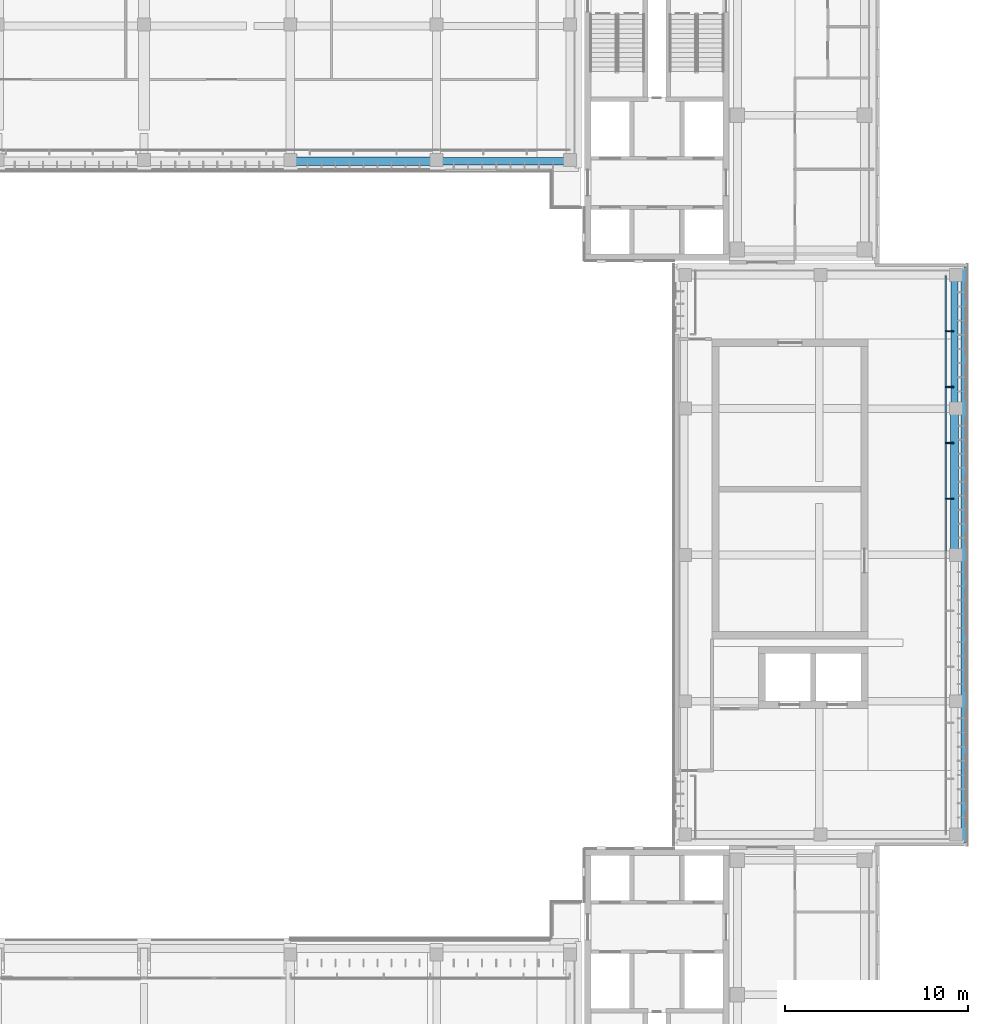
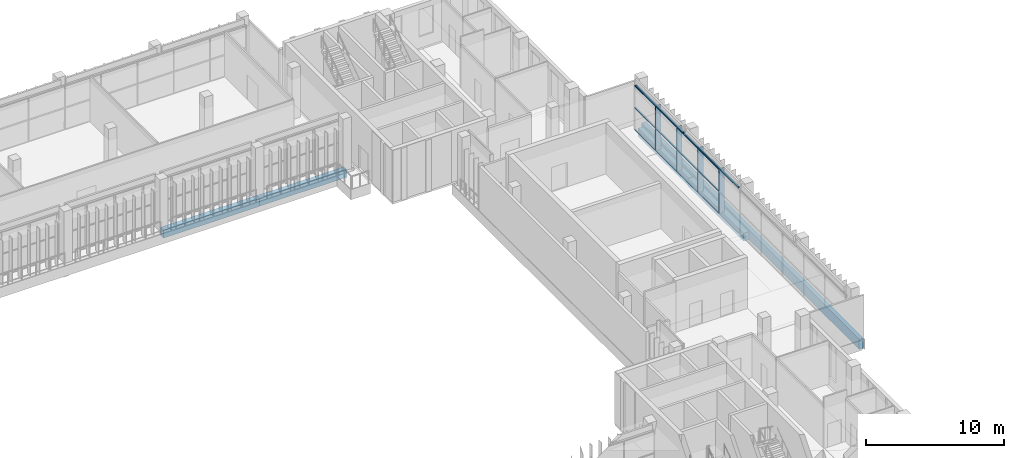
# One storey, part 30 of 73: 16 members, 7 beams, 1 element without a shape of its own.
"""IFC4 building model written with IfcOpenShell, lengths in metres."""

from ifc_helpers import new_model, si_unit, direction, frame, origin, origin_2d, place, context, subcontext, project, spatial, rectangle, hollow_rectangle, extrude, material, material_profile, profile_set, type_object, element, aggregate, save


model = new_model("IFC4")

# Units and contexts
model_context = context("Model", 3, precision=1e-05, world=origin(), true_north=direction((0.0, 1.0)))
body_context = subcontext(model_context, "Body", "Model", "MODEL_VIEW")
ifc_project = project(units=[si_unit("LENGTHUNIT", "METRE"), si_unit("AREAUNIT", "SQUARE_METRE"), si_unit("VOLUMEUNIT", "CUBIC_METRE"), si_unit("PLANEANGLEUNIT", "RADIAN"), si_unit("MASSUNIT", "GRAM", prefix="KILO")], contexts=[model_context])

# Site, building, storey
site_placement = place(None, origin())
site = spatial("IfcSite", under=ifc_project, at=site_placement, CompositionType="ELEMENT")
building_placement = place(site_placement, origin())
building = spatial("IfcBuilding", under=site, at=building_placement, Name="Lantern Court Media Centre", CompositionType="ELEMENT")
storey_placement = place(building_placement, frame((0.0, 0.0, 24.0)))
storey = spatial("IfcBuildingStorey", under=building, at=storey_placement, Name="L05", CompositionType="ELEMENT", Elevation=24.0)

# Curtain wall, members
ifc_material_1 = material(Name="Curtain wall bay 3000")
curtain_wall_type = type_object("IfcCurtainWallType", Name="Curtain wall bay 3000", PredefinedType="NOTDEFINED", material=ifc_material_1)
curtain_wall_placement = place(storey_placement, origin())
curtain_wall = element("IfcCurtainWall", 1, at=curtain_wall_placement, inside=storey, type_object=curtain_wall_type, Name="Curtain wall E outer L05", PredefinedType="NOTDEFINED")
ifc_material_2 = material(Name="Anodised aluminium", Category="aluminium")
ifc_material_profile_1 = material_profile(ifc_material_2, rectangle(XDim=0.449951171875, YDim=0.06005859375, at=origin_2d()), Name="AL 60x450")
ifc_profile_set_1 = profile_set([ifc_material_profile_1], Name="Anodised aluminium")
member_type_1 = type_object("IfcMemberType", Name="Curtain wall mullion 60x450", PredefinedType="MULLION", material=ifc_profile_set_1)
member_1_placement = place(storey_placement, frame((100.044921875, 83.06005859375, 0.0), z_axis=(0.0, 0.0, 1.0), x_axis=(-1.0, 0.0, 0.0)))
member_1 = element("IfcMember", 2, at=member_1_placement, type_object=member_type_1, Name="CW1 mullion 7", PredefinedType="MULLION", context=body_context, shape_type="SweptSolid", body=[
    extrude(rectangle(XDim=0.449951171875, YDim=0.06005859375, at=origin_2d()), origin(), (0.0, 0.0, 1.0), 3.949951171875),
])
member_2_placement = place(storey_placement, frame((100.044921875, 86.1201171875, 0.0), z_axis=(0.0, 0.0, 1.0), x_axis=(-1.0, 0.0, 0.0)))
member_2 = element("IfcMember", 3, at=member_2_placement, type_object=member_type_1, Name="CW1 mullion 8", PredefinedType="MULLION", context=body_context, shape_type="SweptSolid", body=[
    extrude(rectangle(XDim=0.449951171875, YDim=0.06005859375, at=origin_2d()), origin(), (0.0, 0.0, 1.0), 3.949951171875),
])
member_3_placement = place(storey_placement, frame((100.044921875, 89.179931640625, 0.0), z_axis=(0.0, 0.0, 1.0), x_axis=(-1.0, 0.0, 0.0)))
member_3 = element("IfcMember", 4, at=member_3_placement, type_object=member_type_1, Name="CW1 mullion 9", PredefinedType="MULLION", context=body_context, shape_type="SweptSolid", body=[
    extrude(rectangle(XDim=0.449951171875, YDim=0.06005859375, at=origin_2d()), origin(), (0.0, 0.0, 1.0), 3.949951171875),
])
member_4_placement = place(storey_placement, frame((100.044921875, 92.239990234375, 0.0), z_axis=(0.0, 0.0, 1.0), x_axis=(-1.0, 0.0, 0.0)))
member_4 = element("IfcMember", 5, at=member_4_placement, type_object=member_type_1, Name="CW1 mullion 10", PredefinedType="MULLION", context=body_context, shape_type="SweptSolid", body=[
    extrude(rectangle(XDim=0.449951171875, YDim=0.06005859375, at=origin_2d()), origin(), (0.0, 0.0, 1.0), 3.949951171875),
])
ifc_material_profile_2 = material_profile(ifc_material_2, rectangle(XDim=0.1201171875, YDim=0.06005859375, at=origin_2d()), Name="AL 60x120")
ifc_profile_set_2 = profile_set([ifc_material_profile_2], Name="Anodised aluminium")
member_type_2 = type_object("IfcMemberType", Name="Curtain wall transom 60x120", PredefinedType="USERDEFINED", material=ifc_profile_set_2)
member_5_placement = place(storey_placement, frame((99.85009765625, 83.090087890625, 0.030029296875), z_axis=(0.0, 1.0, 0.0), x_axis=(-1.0, 0.0, 0.0)))
member_5 = element("IfcMember", 6, at=member_5_placement, type_object=member_type_2, Name="CW1 transom 7.1", ObjectType="TRANSOM", PredefinedType="USERDEFINED", context=body_context, shape_type="SweptSolid", body=[
    extrude(rectangle(XDim=0.1201171875, YDim=0.06005859375, at=origin_2d()), origin(), (0.0, 0.0, 1.0), 3.0),
])
member_6_placement = place(storey_placement, frame((99.85009765625, 83.090087890625, 1.97509765625), z_axis=(0.0, 1.0, 0.0), x_axis=(-1.0, 0.0, 0.0)))
member_6 = element("IfcMember", 7, at=member_6_placement, type_object=member_type_2, Name="CW1 transom 7.2", ObjectType="TRANSOM", PredefinedType="USERDEFINED", context=body_context, shape_type="SweptSolid", body=[
    extrude(rectangle(XDim=0.1201171875, YDim=0.06005859375, at=origin_2d()), origin(), (0.0, 0.0, 1.0), 3.0),
])
member_7_placement = place(storey_placement, frame((99.85009765625, 83.090087890625, 3.919921875), z_axis=(0.0, 1.0, 0.0), x_axis=(-1.0, 0.0, 0.0)))
member_7 = element("IfcMember", 8, at=member_7_placement, type_object=member_type_2, Name="CW1 transom 7.3", ObjectType="TRANSOM", PredefinedType="USERDEFINED", context=body_context, shape_type="SweptSolid", body=[
    extrude(rectangle(XDim=0.1201171875, YDim=0.06005859375, at=origin_2d()), origin(), (0.0, 0.0, 1.0), 3.0),
])
member_8_placement = place(storey_placement, frame((99.85009765625, 86.14990234375, 0.030029296875), z_axis=(0.0, 1.0, 0.0), x_axis=(-1.0, 0.0, 0.0)))
member_8 = element("IfcMember", 9, at=member_8_placement, type_object=member_type_2, Name="CW1 transom 8.1", ObjectType="TRANSOM", PredefinedType="USERDEFINED", context=body_context, shape_type="SweptSolid", body=[
    extrude(rectangle(XDim=0.1201171875, YDim=0.06005859375, at=origin_2d()), origin(), (0.0, 0.0, 1.0), 3.0),
])
member_9_placement = place(storey_placement, frame((99.85009765625, 86.14990234375, 1.97509765625), z_axis=(0.0, 1.0, 0.0), x_axis=(-1.0, 0.0, 0.0)))
member_9 = element("IfcMember", 10, at=member_9_placement, type_object=member_type_2, Name="CW1 transom 8.2", ObjectType="TRANSOM", PredefinedType="USERDEFINED", context=body_context, shape_type="SweptSolid", body=[
    extrude(rectangle(XDim=0.1201171875, YDim=0.06005859375, at=origin_2d()), origin(), (0.0, 0.0, 1.0), 3.0),
])
member_10_placement = place(storey_placement, frame((99.85009765625, 86.14990234375, 3.919921875), z_axis=(0.0, 1.0, 0.0), x_axis=(-1.0, 0.0, 0.0)))
member_10 = element("IfcMember", 11, at=member_10_placement, type_object=member_type_2, Name="CW1 transom 8.3", ObjectType="TRANSOM", PredefinedType="USERDEFINED", context=body_context, shape_type="SweptSolid", body=[
    extrude(rectangle(XDim=0.1201171875, YDim=0.06005859375, at=origin_2d()), origin(), (0.0, 0.0, 1.0), 3.0),
])
member_11_placement = place(storey_placement, frame((99.85009765625, 89.2099609375, 0.030029296875), z_axis=(0.0, 1.0, 0.0), x_axis=(-1.0, 0.0, 0.0)))
member_11 = element("IfcMember", 12, at=member_11_placement, type_object=member_type_2, Name="CW1 transom 9.1", ObjectType="TRANSOM", PredefinedType="USERDEFINED", context=body_context, shape_type="SweptSolid", body=[
    extrude(rectangle(XDim=0.1201171875, YDim=0.06005859375, at=origin_2d()), origin(), (0.0, 0.0, 1.0), 3.0),
])
member_12_placement = place(storey_placement, frame((99.85009765625, 89.2099609375, 1.97509765625), z_axis=(0.0, 1.0, 0.0), x_axis=(-1.0, 0.0, 0.0)))
member_12 = element("IfcMember", 13, at=member_12_placement, type_object=member_type_2, Name="CW1 transom 9.2", ObjectType="TRANSOM", PredefinedType="USERDEFINED", context=body_context, shape_type="SweptSolid", body=[
    extrude(rectangle(XDim=0.1201171875, YDim=0.06005859375, at=origin_2d()), origin(), (0.0, 0.0, 1.0), 3.0),
])
member_13_placement = place(storey_placement, frame((99.85009765625, 89.2099609375, 3.919921875), z_axis=(0.0, 1.0, 0.0), x_axis=(-1.0, 0.0, 0.0)))
member_13 = element("IfcMember", 14, at=member_13_placement, type_object=member_type_2, Name="CW1 transom 9.3", ObjectType="TRANSOM", PredefinedType="USERDEFINED", context=body_context, shape_type="SweptSolid", body=[
    extrude(rectangle(XDim=0.1201171875, YDim=0.06005859375, at=origin_2d()), origin(), (0.0, 0.0, 1.0), 3.0),
])
member_14_placement = place(storey_placement, frame((99.85009765625, 92.27001953125, 0.030029296875), z_axis=(0.0, 1.0, 0.0), x_axis=(-1.0, 0.0, 0.0)))
member_14 = element("IfcMember", 15, at=member_14_placement, type_object=member_type_2, Name="CW1 transom 10.1", ObjectType="TRANSOM", PredefinedType="USERDEFINED", context=body_context, shape_type="SweptSolid", body=[
    extrude(rectangle(XDim=0.1201171875, YDim=0.06005859375, at=origin_2d()), origin(), (0.0, 0.0, 1.0), 2.969970703125),
])
member_15_placement = place(storey_placement, frame((99.85009765625, 92.27001953125, 1.97509765625), z_axis=(0.0, 1.0, 0.0), x_axis=(-1.0, 0.0, 0.0)))
member_15 = element("IfcMember", 16, at=member_15_placement, type_object=member_type_2, Name="CW1 transom 10.2", ObjectType="TRANSOM", PredefinedType="USERDEFINED", context=body_context, shape_type="SweptSolid", body=[
    extrude(rectangle(XDim=0.1201171875, YDim=0.06005859375, at=origin_2d()), origin(), (0.0, 0.0, 1.0), 2.969970703125),
])
member_16_placement = place(storey_placement, frame((99.85009765625, 92.27001953125, 3.919921875), z_axis=(0.0, 1.0, 0.0), x_axis=(-1.0, 0.0, 0.0)))
member_16 = element("IfcMember", 17, at=member_16_placement, type_object=member_type_2, Name="CW1 transom 10.3", ObjectType="TRANSOM", PredefinedType="USERDEFINED", context=body_context, shape_type="SweptSolid", body=[
    extrude(rectangle(XDim=0.1201171875, YDim=0.06005859375, at=origin_2d()), origin(), (0.0, 0.0, 1.0), 2.969970703125),
])
aggregate(curtain_wall, [member_1, member_2, member_3, member_4, member_5, member_6, member_7, member_8, member_9, member_10, member_11, member_12, member_13, member_14, member_15, member_16])

# Beams
ifc_material_3 = material(Name="Steel S355J2 (EN 10025-2)", Category="steel")
ifc_material_profile_3 = material_profile(ifc_material_3, hollow_rectangle(XDim=0.10009765625, YDim=0.14990234375, WallThickness=0.00634765625, InnerFilletRadius=0.00634765625, OuterFilletRadius=0.009521484375, at=origin_2d()), Name="Facade head lintel RHS 150x100x6.3")
ifc_profile_set_3 = profile_set([ifc_material_profile_3], Name="Steel S355J2 (EN 10025-2)")
beam_type_1 = type_object("IfcBeamType", Name="Facade head lintel RHS 150x100x6.3", PredefinedType="BEAM", material=ifc_profile_set_3)
beam_1_placement = place(storey_placement, frame((99.85009765625, 80.199951171875, 4.02490234375), z_axis=(0.0, 1.0, 0.0), x_axis=(-1.0, 0.0, 0.0)))
element("IfcBeam", 18, at=beam_1_placement, inside=storey, type_object=beam_type_1, Name="Facade head lintel E L05", PredefinedType="BEAM", context=body_context, shape_type="SweptSolid", body=[
    extrude(hollow_rectangle(XDim=0.10009765625, YDim=0.14990234375, WallThickness=0.00634765625, InnerFilletRadius=0.00634765625, OuterFilletRadius=0.009521484375, at=origin_2d()), origin(), (0.0, 0.0, 1.0), 7.60009765625),
])
beam_2_placement = place(storey_placement, frame((99.85009765625, 88.199951171875, 4.02490234375), z_axis=(0.0, 1.0, 0.0), x_axis=(-1.0, 0.0, 0.0)))
element("IfcBeam", 19, at=beam_2_placement, inside=storey, type_object=beam_type_1, Name="Facade head lintel E L05", PredefinedType="BEAM", context=body_context, shape_type="SweptSolid", body=[
    extrude(hollow_rectangle(XDim=0.10009765625, YDim=0.14990234375, WallThickness=0.00634765625, InnerFilletRadius=0.00634765625, OuterFilletRadius=0.009521484375, at=origin_2d()), origin(), (0.0, 0.0, 1.0), 6.900146484375),
])
ifc_material_4 = material(Name="Concrete C35", Category="concrete")
ifc_material_profile_4 = material_profile(ifc_material_4, rectangle(XDim=0.35009765625, YDim=0.89990234375, at=origin_2d()), Name="RC 350x900")
ifc_profile_set_4 = profile_set([ifc_material_profile_4], Name="Concrete C35")
beam_type_2 = type_object("IfcBeamType", Name="RC BEAM 350x900", PredefinedType="BEAM", material=ifc_profile_set_4)
beam_3_placement = place(storey_placement, frame((100.85009765625, 64.25, -0.449951171875), z_axis=(0.0, 1.0, 0.0), x_axis=(-1.0, 0.0, 0.0)))
element("IfcBeam", 20, at=beam_3_placement, inside=storey, type_object=beam_type_2, Name="EB-E-L05-B", PredefinedType="BEAM", context=body_context, shape_type="SweptSolid", body=[
    extrude(rectangle(XDim=0.35009765625, YDim=0.89990234375, at=origin_2d()), origin(), (0.0, 0.0, 1.0), 31.5),
])
ifc_material_profile_5 = material_profile(ifc_material_4, rectangle(XDim=0.39990234375, YDim=0.699951171875, at=origin_2d()), Name="RC 400x700")
ifc_profile_set_5 = profile_set([ifc_material_profile_5], Name="Concrete C35")
beam_type_3 = type_object("IfcBeamType", Name="RC BEAM 400x700", PredefinedType="BEAM", material=ifc_profile_set_5)
for number, where, z_axis, x_axis, name in (
    (21, (72.0, 101.527099609375, -0.35009765625), (1.0, 0.0, 0.0), (0.0, 1.0, 0.0), "LB-N-L05-0-6"),
    (22, (100.3271484375, 88.0, -0.35009765625), (0.0, 1.0, 0.0), (-1.0, 0.0, 0.0), "LB-E-L05-2-3"),
):
    element("IfcBeam", number, at=place(storey_placement, frame(where, z_axis=z_axis, x_axis=x_axis)), inside=storey, type_object=beam_type_3, Name=name, PredefinedType="BEAM", context=body_context, shape_type="SweptSolid", body=[
        extrude(rectangle(XDim=0.39990234375, YDim=0.699951171875, at=origin_2d()), origin(), (0.0, 0.0, 1.0), 7.300048828125),
    ])
ifc_material_profile_6 = material_profile(ifc_material_4, rectangle(XDim=0.449951171875, YDim=0.699951171875, at=origin_2d()), Name="RC 450x700")
ifc_profile_set_6 = profile_set([ifc_material_profile_6], Name="Concrete C35")
beam_type_4 = type_object("IfcBeamType", Name="RC BEAM 450x700", PredefinedType="BEAM", material=ifc_profile_set_6)
for number, where, z_axis, x_axis, name in (
    (23, (64.0, 101.527099609375, -0.35009765625), (1.0, 0.0, 0.0), (0.0, 1.0, 0.0), "LB-N-L05-0-5"),
    (24, (100.3271484375, 80.0, -0.35009765625), (0.0, 1.0, 0.0), (-1.0, 0.0, 0.0), "LB-E-L05-2-2"),
):
    element("IfcBeam", number, at=place(storey_placement, frame(where, z_axis=z_axis, x_axis=x_axis)), inside=storey, type_object=beam_type_4, Name=name, PredefinedType="BEAM", context=body_context, shape_type="SweptSolid", body=[
        extrude(rectangle(XDim=0.449951171875, YDim=0.699951171875, at=origin_2d()), origin(), (0.0, 0.0, 1.0), 8.0),
    ])

save(model, "model.ifc")
